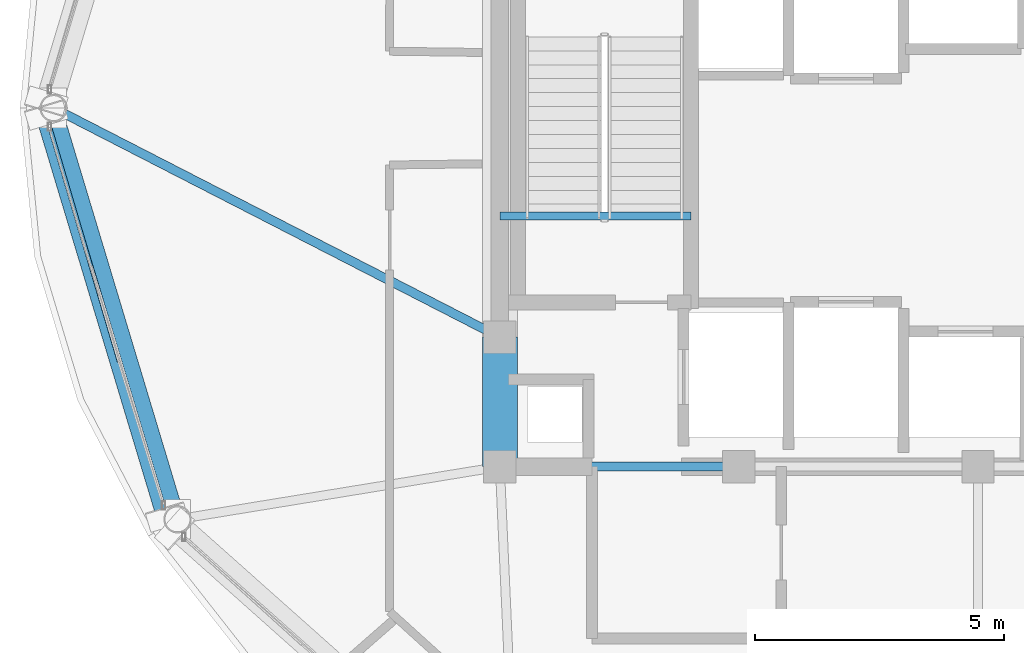
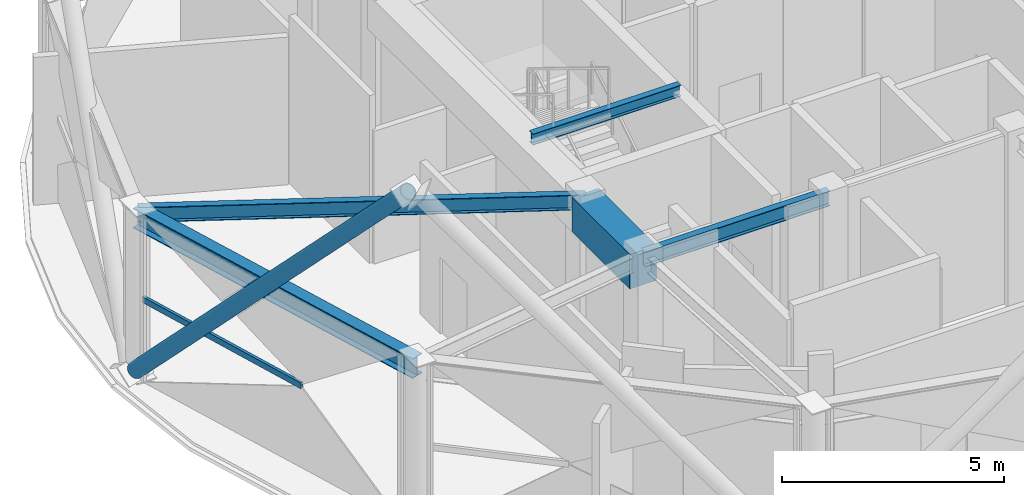
# One storey, part 4 of 27: 5 beams, 2 members, 1 element without a shape of its own.
"""IFC4 building model written with IfcOpenShell, lengths in metres."""

from ifc_helpers import new_model, si_unit, direction, frame, origin, origin_2d, place, context, subcontext, project, spatial, rectangle, hollow_rectangle, hollow_circle, i_section, extrude, material, layer, layer_set, material_profile, profile_set, type_object, element, aggregate, save


model = new_model("IFC4")

# Units and contexts
model_context = context("Model", 3, precision=1e-05, world=origin(), true_north=direction((0.0, 1.0)))
body_context = subcontext(model_context, "Body", "Model", "MODEL_VIEW")
ifc_project = project(units=[si_unit("LENGTHUNIT", "METRE"), si_unit("AREAUNIT", "SQUARE_METRE"), si_unit("VOLUMEUNIT", "CUBIC_METRE"), si_unit("PLANEANGLEUNIT", "RADIAN"), si_unit("MASSUNIT", "GRAM", prefix="KILO")], contexts=[model_context])

# Site, building, storey
site_placement = place(None, origin())
site = spatial("IfcSite", under=ifc_project, at=site_placement, CompositionType="ELEMENT")
building_placement = place(site_placement, origin())
building = spatial("IfcBuilding", under=site, at=building_placement, Name="Vantalir Tower", CompositionType="ELEMENT")
storey_placement = place(building_placement, frame((0.0, 0.0, 290.10009765625)))
storey = spatial("IfcBuildingStorey", under=building, at=storey_placement, Name="L73", CompositionType="ELEMENT", Elevation=290.10009765625)

# Beams
ifc_material_1 = material(Name="Concrete C60/75", Category="concrete")
ifc_material_profile_1 = material_profile(ifc_material_1, rectangle(XDim=0.699951171875, YDim=0.949951171875, at=origin_2d()), Name="Concrete C60/75")
ifc_profile_set_1 = profile_set([ifc_material_profile_1], Name="Concrete C60/75")
beam_type_1 = type_object("IfcBeamType", Name="BM-CB-700x950", PredefinedType="USERDEFINED", material=ifc_profile_set_1)
beam_1_placement = place(storey_placement, frame((21.89990234375, 20.39990234375, 4.14501953125), z_axis=(0.0, -1.0, 0.0), x_axis=(1.0, 0.0, 0.0)))
element("IfcBeam", 1, at=beam_1_placement, inside=storey, type_object=beam_type_1, Name="L73 Core Coupling Girder 14", ObjectType="GIRDER", PredefinedType="USERDEFINED", context=body_context, shape_type="SweptSolid", body=[
    extrude(rectangle(XDim=0.699951171875, YDim=0.949951171875, at=origin_2d()), origin(), (0.0, 0.0, 1.0), 2.599853515625),
])
ifc_material_2 = material(Name="Steel S355", Category="steel")
ifc_material_profile_2 = material_profile(ifc_material_2, i_section(OverallWidth=0.166015625, OverallDepth=0.306884765625, WebThickness=0.006591796875, FlangeThickness=0.01171875, at=origin_2d()), Name="Steel S355")
ifc_profile_set_2 = profile_set([ifc_material_profile_2], Name="Steel S355")
beam_type_2 = type_object("IfcBeamType", Name="BM-JS-305x165", PredefinedType="JOIST", material=ifc_profile_set_2)
beam_2_placement = place(storey_placement, frame((21.89990234375, 22.8349609375, 4.64599609375), z_axis=(1.0, 0.0, 0.0), x_axis=(0.0, 1.0, 0.0)))
element("IfcBeam", 2, at=beam_2_placement, inside=storey, type_object=beam_type_2, Name="L74 Stair ST1 Well Nosing Trimmer Beam", PredefinedType="JOIST", context=body_context, shape_type="SweptSolid", body=[
    extrude(i_section(OverallWidth=0.166015625, OverallDepth=0.306884765625, WebThickness=0.006591796875, FlangeThickness=0.01171875, at=origin_2d()), origin(), (0.0, 0.0, 1.0), 3.840087890625),
])
ifc_material_profile_3 = material_profile(ifc_material_2, i_section(OverallWidth=0.179931640625, OverallDepth=0.4130859375, WebThickness=0.009521484375, FlangeThickness=0.01611328125, at=origin_2d()), Name="Steel S355")
ifc_profile_set_3 = profile_set([ifc_material_profile_3], Name="Steel S355")
beam_type_3 = type_object("IfcBeamType", Name="BM-RB-406x178", PredefinedType="BEAM", material=ifc_profile_set_3)
beam_3_placement = place(storey_placement, frame((21.89990234375, 17.800048828125, 4.413818359375), z_axis=(1.0, 0.0, 0.0), x_axis=(0.0, 1.0, 0.0)))
element("IfcBeam", 3, at=beam_3_placement, inside=storey, type_object=beam_type_3, Name="L73 Core Coupling Girder 01", PredefinedType="BEAM", context=body_context, shape_type="SweptSolid", body=[
    extrude(i_section(OverallWidth=0.179931640625, OverallDepth=0.4130859375, WebThickness=0.009521484375, FlangeThickness=0.01611328125, at=origin_2d()), origin(), (0.0, 0.0, 1.0), 4.800048828125),
])
beam_4_placement = place(storey_placement, frame((12.93994140625, 25.0, 4.413818359375), z_axis=(0.8896058829, -0.456728993068, 0.0), x_axis=(0.456728993068, 0.8896058829, 0.0)))
element("IfcBeam", 4, at=beam_4_placement, inside=storey, type_object=beam_type_3, Name="L73 Radial Floor Beam 07", PredefinedType="BEAM", context=body_context, shape_type="SweptSolid", body=[
    extrude(i_section(OverallWidth=0.179931640625, OverallDepth=0.4130859375, WebThickness=0.009521484375, FlangeThickness=0.01611328125, at=origin_2d()), origin(), (0.0, 0.0, 1.0), 10.07177734375),
])
ifc_material_3 = material(Name="Steel S460", Category="steel")
ifc_material_profile_4 = material_profile(ifc_material_3, i_section(OverallWidth=0.31201171875, OverallDepth=0.5419921875, WebThickness=0.0126953125, FlangeThickness=0.020263671875, at=origin_2d()), Name="Steel S460")
ifc_profile_set_4 = profile_set([ifc_material_profile_4], Name="Steel S460")
beam_type_4 = type_object("IfcBeamType", Name="BM-RG-533x312", PredefinedType="USERDEFINED", material=ifc_profile_set_4)
beam_5_placement = place(storey_placement, frame((12.93994140625, 25.0, 4.348876953125), z_axis=(0.288436105836, -0.957499145091, 0.0), x_axis=(0.957499145091, 0.288436105836, 0.0)))
element("IfcBeam", 5, at=beam_5_placement, inside=storey, type_object=beam_type_4, Name="L73 Circumferential Ring Girder 07", ObjectType="GIRDER", PredefinedType="USERDEFINED", context=body_context, shape_type="SweptSolid", body=[
    extrude(i_section(OverallWidth=0.31201171875, OverallDepth=0.5419921875, WebThickness=0.0126953125, FlangeThickness=0.020263671875, at=origin_2d()), origin(), (0.0, 0.0, 1.0), 8.62255859375),
])

# Curtain wall, member
ifc_material_4 = material(Name="Champagne-silver PVDF aluminium and double-silver Low-E glass", Category="aluminium")
ifc_layer = layer(ifc_material_4, 0.219970703125)
ifc_layer_set = layer_set([ifc_layer], Name="Champagne-silver PVDF aluminium and double-silver Low-E glass")
curtain_wall_type = type_object("IfcCurtainWallType", Name="CW-DIAMOND-Z4", PredefinedType="USERDEFINED", material=ifc_layer_set)
curtain_wall_placement = place(storey_placement, origin())
curtain_wall = element("IfcCurtainWall", 6, at=curtain_wall_placement, inside=storey, type_object=curtain_wall_type, Name="L73 Quilted Pyramid-Diamond Curtain Wall S07", ObjectType="UNITISED CURTAIN WALL", PredefinedType="USERDEFINED")
ifc_material_5 = material(Name="Champagne-silver PVDF aluminium 6063-T6", Category="aluminium")
ifc_material_profile_5 = material_profile(ifc_material_5, hollow_rectangle(XDim=0.074951171875, YDim=0.159912109375, WallThickness=0.00390625, at=origin_2d()), Name="Champagne-silver PVDF aluminium 6063-T6")
ifc_profile_set_5 = profile_set([ifc_material_profile_5], Name="Champagne-silver PVDF aluminium 6063-T6")
member_type_1 = type_object("IfcMemberType", Name="CWT-160x75", PredefinedType="USERDEFINED", material=ifc_profile_set_5)
member_1_placement = place(storey_placement, frame((12.862060546875, 24.626953125, 2.309814453125), z_axis=(0.283328521227, -0.95902291373, 0.0), x_axis=(0.95902291373, 0.283328521227, 0.0)))
member_1 = element("IfcMember", 7, at=member_1_placement, type_object=member_type_1, Name="CW-L73-S07 Pyramid Fold Ridge Transom", ObjectType="TRANSOM", PredefinedType="USERDEFINED", context=body_context, shape_type="SweptSolid", body=[
    extrude(hollow_rectangle(XDim=0.074951171875, YDim=0.159912109375, WallThickness=0.00390625, at=origin_2d()), origin(), (0.0, 0.0, 1.0), 4.923583984375),
])
aggregate(curtain_wall, [member_1])

# Member
ifc_material_profile_6 = material_profile(ifc_material_3, hollow_circle(Radius=0.2099609375, WallThickness=0.02490234375, at=origin_2d()), Name="Steel S460")
ifc_profile_set_6 = profile_set([ifc_material_profile_6], Name="Steel S460")
member_type_2 = type_object("IfcMemberType", Name="MEM-DB-420x25", PredefinedType="BRACE", material=ifc_profile_set_6)
member_2_placement = place(storey_placement, frame((12.79296875, 24.85595703125, 0.239990234375), z_axis=(0.197544968292, -0.656548266359, 0.727956289515), x_axis=(0.95759294524, 0.288124541175, 0.0)))
element("IfcMember", 8, at=member_2_placement, inside=storey, type_object=member_type_2, Name="L73 Perimeter S460 Diagrid Brace R19L", PredefinedType="BRACE", context=body_context, shape_type="SweptSolid", body=[
    extrude(hollow_circle(Radius=0.2099609375, WallThickness=0.02490234375, at=origin_2d()), origin(), (0.0, 0.0, 1.0), 12.28076171875),
])

save(model, "model.ifc")
